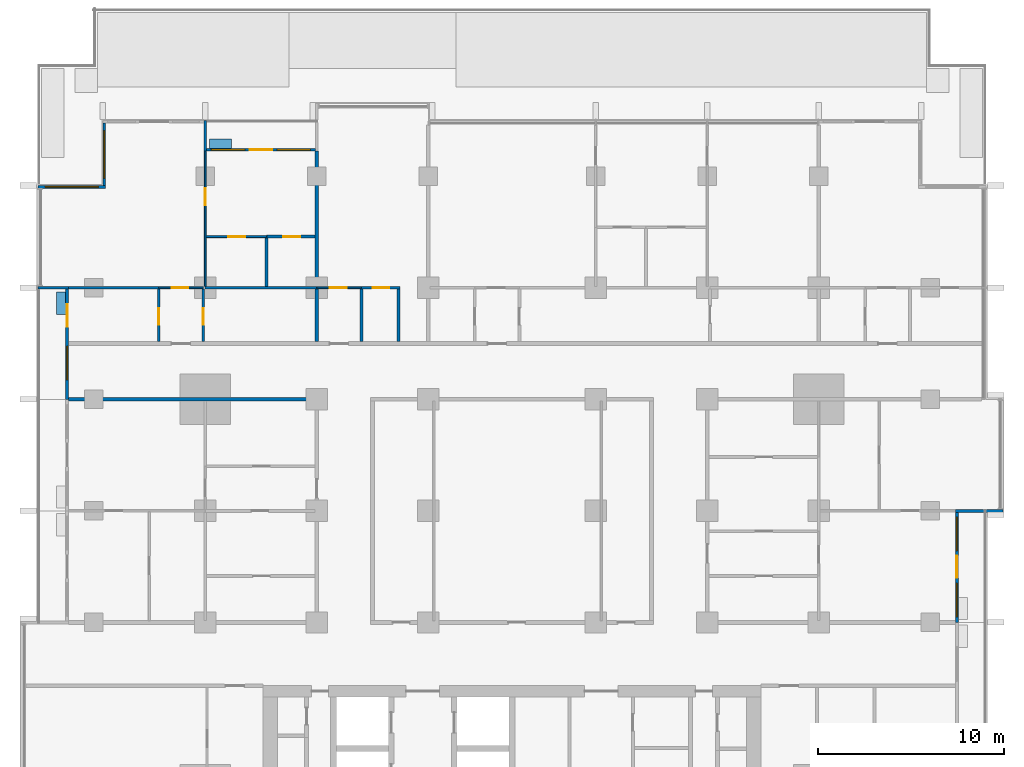
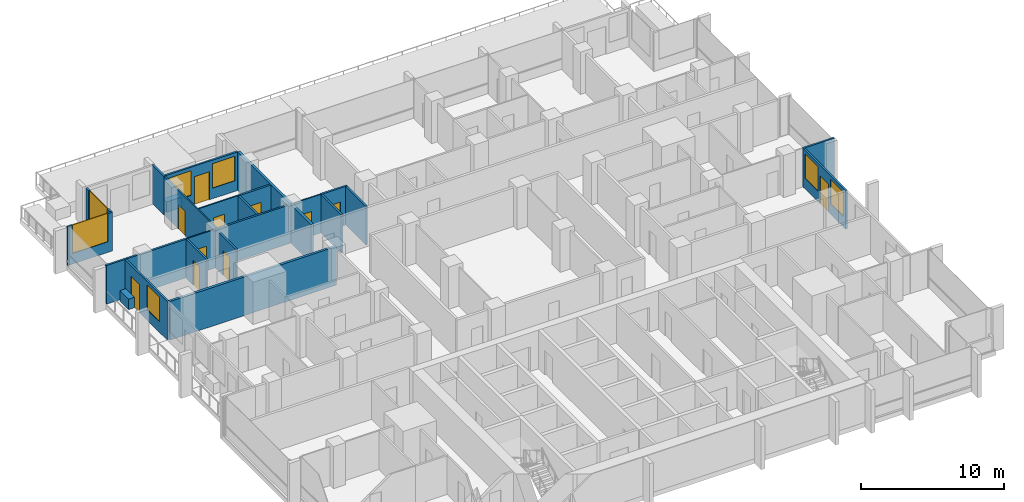
# One storey, part 11 of 19: 26 walls, 11 doors, 7 windows, 18 openings.
"""IFC4 building model written with IfcOpenShell, lengths in metres."""

from ifc_helpers import new_model, si_unit, direction, frame, frame_2d, origin, place, context, subcontext, project, spatial, rectangle, extrude, material, layer, layer_set, type_object, element, fill, save


model = new_model("IFC4")

# Units and contexts
model_context = context("Model", 3, precision=1e-05, world=origin(), true_north=direction((0.0, 1.0)))
body_context = subcontext(model_context, "Body", "Model", "MODEL_VIEW")
ifc_project = project(units=[si_unit("LENGTHUNIT", "METRE"), si_unit("AREAUNIT", "SQUARE_METRE"), si_unit("VOLUMEUNIT", "CUBIC_METRE"), si_unit("PLANEANGLEUNIT", "RADIAN"), si_unit("MASSUNIT", "GRAM", prefix="KILO")], contexts=[model_context])

# Site, building, storey
site_placement = place(None, origin())
site = spatial("IfcSite", under=ifc_project, at=site_placement, CompositionType="ELEMENT")
building_placement = place(site_placement, origin())
building = spatial("IfcBuilding", under=site, at=building_placement, Name="Finial Court Residences", CompositionType="ELEMENT")
storey_placement = place(building_placement, frame((0.0, 0.0, 81.10009765625)))
storey = spatial("IfcBuildingStorey", under=building, at=storey_placement, Name="L19", CompositionType="ELEMENT", Elevation=81.10009765625)

# Walls
ifc_material_1 = material(Name="Gypsum board")
ifc_layer_1 = layer(ifc_material_1, 0.02490234375)
ifc_material_2 = material(Name="Acoustic mineral wool in double frame")
ifc_layer_2 = layer(ifc_material_2, 0.14990234375)
ifc_layer_3 = layer(ifc_material_1, 0.02490234375)
ifc_layer_set_1 = layer_set([ifc_layer_1, ifc_layer_2, ifc_layer_3], Name="Acoustic party wall 200, 1 hour")
wall_type_1 = type_object("IfcWallType", Name="Acoustic party wall 200, 1 hour", PredefinedType="PARTITIONING", material=ifc_layer_set_1)
wall_1_placement = place(storey_placement, frame((-10.5, 10.60009765625, 0.0), z_axis=(0.0, 0.0, 1.0), x_axis=(0.0, 1.0, 0.0)))
element("IfcWall", 1, at=wall_1_placement, inside=storey, type_object=wall_type_1, Name="Partition L19-055", PredefinedType="PARTITIONING", context=body_context, shape_type="SweptSolid", body=[
    extrude(rectangle(XDim=2.824951171875, YDim=0.199951171875, at=frame_2d((1.41259765625, 0.0))), origin(), (0.0, 0.0, 1.0), 3.2998046875),
])
wall_2_placement = place(storey_placement, frame((-10.5, 13.574951171875, 0.0), z_axis=(0.0, 0.0, 1.0), x_axis=(0.0, 1.0, 0.0)))
element("IfcWall", 2, at=wall_2_placement, inside=storey, type_object=wall_type_1, Name="Partition L19-056", PredefinedType="PARTITIONING", context=body_context, shape_type="SweptSolid", body=[
    extrude(rectangle(XDim=7.275146484375, YDim=0.199951171875, at=frame_2d((3.6376953125, 0.0))), origin(), (0.0, 0.0, 1.0), 3.2998046875),
])
ifc_layer_4 = layer(ifc_material_1, 0.02490234375)
ifc_layer_5 = layer(ifc_material_2, 0.14990234375)
ifc_layer_6 = layer(ifc_material_1, 0.02490234375)
ifc_layer_set_2 = layer_set([ifc_layer_4, ifc_layer_5, ifc_layer_6], Name="Corridor wall 200, 1 hour")
wall_type_2 = type_object("IfcWallType", Name="Corridor wall 200, 1 hour", PredefinedType="PARTITIONING", material=ifc_layer_set_2)
wall_3_placement = place(storey_placement, frame((-23.85009765625, 7.5, 0.0), z_axis=(0.0, 0.0, 1.0), x_axis=(1.0, 0.0, 0.0)))
element("IfcWall", 3, at=wall_3_placement, inside=storey, type_object=wall_type_2, Name="Partition L19-022", PredefinedType="PARTITIONING", context=body_context, shape_type="SweptSolid", body=[
    extrude(rectangle(XDim=13.4501953125, YDim=0.199951171875, at=frame_2d((6.72509765625, 0.0))), origin(), (0.0, 0.0, 1.0), 3.2998046875),
])

# Wall, opening, door
ifc_layer_7 = layer(ifc_material_1, 0.012451171875)
ifc_material_3 = material(Name="Mineral wool in light-gauge frame")
ifc_layer_8 = layer(ifc_material_3, 0.074951171875)
ifc_layer_9 = layer(ifc_material_1, 0.012451171875)
ifc_layer_set_3 = layer_set([ifc_layer_7, ifc_layer_8, ifc_layer_9], Name="Gypsum board partition 100")
wall_type_3 = type_object("IfcWallType", Name="Gypsum board partition 100", PredefinedType="PARTITIONING", material=ifc_layer_set_3)
wall_4_placement = place(storey_placement, frame((-19.0, 13.5, 0.0), z_axis=(0.0, 0.0, 1.0), x_axis=(1.0, 0.0, 0.0)))
wall_4 = element("IfcWall", 4, at=wall_4_placement, inside=storey, type_object=wall_type_3, Name="Partition L19-026", PredefinedType="PARTITIONING", context=body_context, shape_type="SweptSolid", body=[
    extrude(rectangle(XDim=2.39990234375, YDim=0.10009765625, at=frame_2d((1.199951171875, 0.0))), origin(), (0.0, 0.0, 1.0), 3.2998046875),
])
opening_1_placement = place(wall_4_placement, frame((0.699951171875, 0.0, 0.0)))
opening_1 = element("IfcOpeningElement", 5, at=opening_1_placement, cuts=wall_4, Name="Opening L19-D022", PredefinedType="OPENING", context=body_context, shape_type="SweptSolid", body=[
    extrude(rectangle(XDim=0.89990234375, YDim=2.10009765625, at=frame_2d((0.449951171875, 1.050048828125))), frame((0.0, 0.06005859375, 0.0), z_axis=(0.0, -1.0, 0.0), x_axis=(1.0, 0.0, 0.0)), (0.0, 0.0, 1.0), 0.1201171875),
])
ifc_material_4 = material(Name="Timber door leaf in timber frame", Category="wood")
door_type_1 = type_object("IfcDoorType", Name="Door set 900 x 2100", OperationType="SINGLE_SWING_LEFT", PredefinedType="DOOR", material=ifc_material_4)
door_1_placement = place(opening_1_placement, origin())
door_1 = element("IfcDoor", 6, at=door_1_placement, inside=storey, type_object=door_type_1, Name="Door L19-D022", OperationType="SINGLE_SWING_RIGHT", OverallHeight=2.10009765625, OverallWidth=0.89990234375, PredefinedType="DOOR", context=body_context, shape_type="SweptSolid", body=[
    extrude(rectangle(XDim=0.89990234375, YDim=2.10009765625, at=frame_2d((0.449951171875, 1.050048828125))), frame((0.0, 0.02490234375, 0.0), z_axis=(0.0, -1.0, 0.0), x_axis=(1.0, 0.0, 0.0)), (0.0, 0.0, 1.0), 0.050048828125),
])
fill(opening_1, door_1)

wall_5_placement = place(storey_placement, frame((-10.5, 13.5, 0.0), z_axis=(0.0, 0.0, 1.0), x_axis=(1.0, 0.0, 0.0)))
wall_5 = element("IfcWall", 7, at=wall_5_placement, inside=storey, type_object=wall_type_3, Name="Partition L19-027", PredefinedType="PARTITIONING", context=body_context, shape_type="SweptSolid", body=[
    extrude(rectangle(XDim=2.39990234375, YDim=0.10009765625, at=frame_2d((1.199951171875, 0.0))), origin(), (0.0, 0.0, 1.0), 3.2998046875),
])
opening_2_placement = place(wall_5_placement, frame((0.699951171875, 0.0, 0.0)))
opening_2 = element("IfcOpeningElement", 8, at=opening_2_placement, cuts=wall_5, Name="Opening L19-D023", PredefinedType="OPENING", context=body_context, shape_type="SweptSolid", body=[
    extrude(rectangle(XDim=0.89990234375, YDim=2.10009765625, at=frame_2d((0.449951171875, 1.050048828125))), frame((0.0, 0.06005859375, 0.0), z_axis=(0.0, -1.0, 0.0), x_axis=(1.0, 0.0, 0.0)), (0.0, 0.0, 1.0), 0.1201171875),
])
door_2_placement = place(opening_2_placement, origin())
door_2 = element("IfcDoor", 9, at=door_2_placement, inside=storey, type_object=door_type_1, Name="Door L19-D023", OperationType="SINGLE_SWING_RIGHT", OverallHeight=2.10009765625, OverallWidth=0.89990234375, PredefinedType="DOOR", context=body_context, shape_type="SweptSolid", body=[
    extrude(rectangle(XDim=0.89990234375, YDim=2.10009765625, at=frame_2d((0.449951171875, 1.050048828125))), frame((0.0, 0.02490234375, 0.0), z_axis=(0.0, -1.0, 0.0), x_axis=(1.0, 0.0, 0.0)), (0.0, 0.0, 1.0), 0.050048828125),
])
fill(opening_2, door_2)

wall_6_placement = place(storey_placement, frame((-16.449951171875, 16.25, 0.0), z_axis=(0.0, 0.0, 1.0), x_axis=(1.0, 0.0, 0.0)))
wall_6 = element("IfcWall", 10, at=wall_6_placement, inside=storey, type_object=wall_type_3, Name="Partition L19-037", PredefinedType="PARTITIONING", context=body_context, shape_type="SweptSolid", body=[
    extrude(rectangle(XDim=3.25, YDim=0.10009765625, at=frame_2d((1.625, 0.0))), origin(), (0.0, 0.0, 1.0), 3.2998046875),
])
opening_3_placement = place(wall_6_placement, frame((1.199951171875, 0.0, 0.0)))
opening_3 = element("IfcOpeningElement", 11, at=opening_3_placement, cuts=wall_6, Name="Opening L19-D028", PredefinedType="OPENING", context=body_context, shape_type="SweptSolid", body=[
    extrude(rectangle(XDim=0.89990234375, YDim=2.10009765625, at=frame_2d((0.449951171875, 1.050048828125))), frame((0.0, 0.06005859375, 0.0), z_axis=(0.0, -1.0, 0.0), x_axis=(1.0, 0.0, 0.0)), (0.0, 0.0, 1.0), 0.1201171875),
])
door_3_placement = place(opening_3_placement, origin())
door_3 = element("IfcDoor", 12, at=door_3_placement, inside=storey, type_object=door_type_1, Name="Door L19-D028", OperationType="SINGLE_SWING_LEFT", OverallHeight=2.10009765625, OverallWidth=0.89990234375, PredefinedType="DOOR", context=body_context, shape_type="SweptSolid", body=[
    extrude(rectangle(XDim=0.89990234375, YDim=2.10009765625, at=frame_2d((0.449951171875, 1.050048828125))), frame((0.0, 0.02490234375, 0.0), z_axis=(0.0, -1.0, 0.0), x_axis=(1.0, 0.0, 0.0)), (0.0, 0.0, 1.0), 0.050048828125),
])
fill(opening_3, door_3)

wall_7_placement = place(storey_placement, frame((-16.5, 13.574951171875, 0.0), z_axis=(0.0, 0.0, 1.0), x_axis=(0.0, 1.0, 0.0)))
wall_7 = element("IfcWall", 13, at=wall_7_placement, inside=storey, type_object=wall_type_3, Name="Partition L19-046", PredefinedType="PARTITIONING", context=body_context, shape_type="SweptSolid", body=[
    extrude(rectangle(XDim=7.275146484375, YDim=0.10009765625, at=frame_2d((3.6376953125, 0.0))), origin(), (0.0, 0.0, 1.0), 3.2998046875),
])
opening_4_placement = place(wall_7_placement, frame((4.375, 0.0, 0.0)))
opening_4 = element("IfcOpeningElement", 14, at=opening_4_placement, cuts=wall_7, Name="Opening L19-D036", PredefinedType="OPENING", context=body_context, shape_type="SweptSolid", body=[
    extrude(rectangle(XDim=0.89990234375, YDim=2.10009765625, at=frame_2d((0.449951171875, 1.050048828125))), frame((0.0, 0.06005859375, 0.0), z_axis=(0.0, -1.0, 0.0), x_axis=(1.0, 0.0, 0.0)), (0.0, 0.0, 1.0), 0.1201171875),
])
door_4_placement = place(opening_4_placement, origin())
door_4 = element("IfcDoor", 15, at=door_4_placement, inside=storey, type_object=door_type_1, Name="Door L19-D036", OperationType="SINGLE_SWING_RIGHT", OverallHeight=2.10009765625, OverallWidth=0.89990234375, PredefinedType="DOOR", context=body_context, shape_type="SweptSolid", body=[
    extrude(rectangle(XDim=0.89990234375, YDim=2.10009765625, at=frame_2d((0.449951171875, 1.050048828125))), frame((0.0, 0.02490234375, 0.0), z_axis=(0.0, -1.0, 0.0), x_axis=(1.0, 0.0, 0.0)), (0.0, 0.0, 1.0), 0.050048828125),
])
fill(opening_4, door_4)

# Walls
ifc_material_5 = material(Name="Moisture-resistant gypsum board")
ifc_layer_10 = layer(ifc_material_5, 0.012451171875)
ifc_layer_11 = layer(ifc_material_3, 0.125)
ifc_layer_12 = layer(ifc_material_5, 0.012451171875)
ifc_layer_set_4 = layer_set([ifc_layer_10, ifc_layer_11, ifc_layer_12], Name="Gypsum board wet-area partition 150")
wall_type_4 = type_object("IfcWallType", Name="Gypsum board wet-area partition 150", PredefinedType="PARTITIONING", material=ifc_layer_set_4)
wall_8_placement = place(storey_placement, frame((-23.85009765625, 13.5, 0.0), z_axis=(0.0, 0.0, 1.0), x_axis=(1.0, 0.0, 0.0)))
element("IfcWall", 16, at=wall_8_placement, inside=storey, type_object=wall_type_4, Name="Partition L19-030", PredefinedType="PARTITIONING", context=body_context, shape_type="SweptSolid", body=[
    extrude(rectangle(XDim=4.85009765625, YDim=0.14990234375, at=frame_2d((2.425048828125, 0.0))), origin(), (0.0, 0.0, 1.0), 3.2998046875),
])
wall_9_placement = place(storey_placement, frame((-16.5, 13.5, 0.0), z_axis=(0.0, 0.0, 1.0), x_axis=(1.0, 0.0, 0.0)))
element("IfcWall", 17, at=wall_9_placement, inside=storey, type_object=wall_type_4, Name="Partition L19-031", PredefinedType="PARTITIONING", context=body_context, shape_type="SweptSolid", body=[
    extrude(rectangle(XDim=6.0, YDim=0.14990234375, at=frame_2d((3.0, 0.0))), origin(), (0.0, 0.0, 1.0), 3.2998046875),
])

# Wall, opening, door
wall_10_placement = place(storey_placement, frame((-8.10009765625, 13.5, 0.0), z_axis=(0.0, 0.0, 1.0), x_axis=(1.0, 0.0, 0.0)))
wall_10 = element("IfcWall", 18, at=wall_10_placement, inside=storey, type_object=wall_type_4, Name="Partition L19-032", PredefinedType="PARTITIONING", context=body_context, shape_type="SweptSolid", body=[
    extrude(rectangle(XDim=2.0751953125, YDim=0.14990234375, at=frame_2d((1.03759765625, 0.0))), origin(), (0.0, 0.0, 1.0), 3.2998046875),
])
opening_5_placement = place(wall_10_placement, frame((0.60009765625, 0.0, 0.0)))
opening_5 = element("IfcOpeningElement", 19, at=opening_5_placement, cuts=wall_10, Name="Opening L19-D026", PredefinedType="OPENING", context=body_context, shape_type="SweptSolid", body=[
    extrude(rectangle(XDim=0.89990234375, YDim=2.10009765625, at=frame_2d((0.449951171875, 1.050048828125))), frame((0.0, 0.0849609375, 0.0), z_axis=(0.0, -1.0, 0.0), x_axis=(1.0, 0.0, 0.0)), (0.0, 0.0, 1.0), 0.169921875),
])
door_5_placement = place(opening_5_placement, origin())
door_5 = element("IfcDoor", 20, at=door_5_placement, inside=storey, type_object=door_type_1, Name="Door L19-D026", OperationType="SINGLE_SWING_RIGHT", OverallHeight=2.10009765625, OverallWidth=0.89990234375, PredefinedType="DOOR", context=body_context, shape_type="SweptSolid", body=[
    extrude(rectangle(XDim=0.89990234375, YDim=2.10009765625, at=frame_2d((0.449951171875, 1.050048828125))), frame((0.0, 0.02490234375, 0.0), z_axis=(0.0, -1.0, 0.0), x_axis=(1.0, 0.0, 0.0)), (0.0, 0.0, 1.0), 0.050048828125),
])
fill(opening_5, door_5)

wall_11_placement = place(storey_placement, frame((-13.199951171875, 16.25, 0.0), z_axis=(0.0, 0.0, 1.0), x_axis=(1.0, 0.0, 0.0)))
wall_11 = element("IfcWall", 21, at=wall_11_placement, inside=storey, type_object=wall_type_4, Name="Partition L19-038", PredefinedType="PARTITIONING", context=body_context, shape_type="SweptSolid", body=[
    extrude(rectangle(XDim=2.599853515625, YDim=0.14990234375, at=frame_2d((1.2998046875, 0.0))), origin(), (0.0, 0.0, 1.0), 3.2998046875),
])
opening_6_placement = place(wall_11_placement, frame((0.89990234375, 0.0, 0.0)))
opening_6 = element("IfcOpeningElement", 22, at=opening_6_placement, cuts=wall_11, Name="Opening L19-D029", PredefinedType="OPENING", context=body_context, shape_type="SweptSolid", body=[
    extrude(rectangle(XDim=0.89990234375, YDim=2.10009765625, at=frame_2d((0.449951171875, 1.050048828125))), frame((0.0, 0.0849609375, 0.0), z_axis=(0.0, -1.0, 0.0), x_axis=(1.0, 0.0, 0.0)), (0.0, 0.0, 1.0), 0.169921875),
])
door_6_placement = place(opening_6_placement, origin())
door_6 = element("IfcDoor", 23, at=door_6_placement, inside=storey, type_object=door_type_1, Name="Door L19-D029", OperationType="SINGLE_SWING_RIGHT", OverallHeight=2.10009765625, OverallWidth=0.89990234375, PredefinedType="DOOR", context=body_context, shape_type="SweptSolid", body=[
    extrude(rectangle(XDim=0.89990234375, YDim=2.10009765625, at=frame_2d((0.449951171875, 1.050048828125))), frame((0.0, 0.02490234375, 0.0), z_axis=(0.0, -1.0, 0.0), x_axis=(1.0, 0.0, 0.0)), (0.0, 0.0, 1.0), 0.050048828125),
])
fill(opening_6, door_6)

wall_12_placement = place(storey_placement, frame((-19.0, 10.60009765625, 0.0), z_axis=(0.0, 0.0, 1.0), x_axis=(0.0, 1.0, 0.0)))
wall_12 = element("IfcWall", 24, at=wall_12_placement, inside=storey, type_object=wall_type_4, Name="Partition L19-043", PredefinedType="PARTITIONING", context=body_context, shape_type="SweptSolid", body=[
    extrude(rectangle(XDim=2.824951171875, YDim=0.14990234375, at=frame_2d((1.41259765625, 0.0))), origin(), (0.0, 0.0, 1.0), 3.2998046875),
])
opening_7_placement = place(wall_12_placement, frame((0.89990234375, 0.0, 0.0)))
opening_7 = element("IfcOpeningElement", 25, at=opening_7_placement, cuts=wall_12, Name="Opening L19-D033", PredefinedType="OPENING", context=body_context, shape_type="SweptSolid", body=[
    extrude(rectangle(XDim=0.89990234375, YDim=2.10009765625, at=frame_2d((0.449951171875, 1.050048828125))), frame((0.0, 0.0849609375, 0.0), z_axis=(0.0, -1.0, 0.0), x_axis=(1.0, 0.0, 0.0)), (0.0, 0.0, 1.0), 0.169921875),
])
door_7_placement = place(opening_7_placement, origin())
door_7 = element("IfcDoor", 26, at=door_7_placement, inside=storey, type_object=door_type_1, Name="Door L19-D033", OperationType="SINGLE_SWING_LEFT", OverallHeight=2.10009765625, OverallWidth=0.89990234375, PredefinedType="DOOR", context=body_context, shape_type="SweptSolid", body=[
    extrude(rectangle(XDim=0.89990234375, YDim=2.10009765625, at=frame_2d((0.449951171875, 1.050048828125))), frame((0.0, 0.02490234375, 0.0), z_axis=(0.0, -1.0, 0.0), x_axis=(1.0, 0.0, 0.0)), (0.0, 0.0, 1.0), 0.050048828125),
])
fill(opening_7, door_7)

wall_13_placement = place(storey_placement, frame((-16.60009765625, 10.60009765625, 0.0), z_axis=(0.0, 0.0, 1.0), x_axis=(0.0, 1.0, 0.0)))
wall_13 = element("IfcWall", 27, at=wall_13_placement, inside=storey, type_object=wall_type_4, Name="Partition L19-044", PredefinedType="PARTITIONING", context=body_context, shape_type="SweptSolid", body=[
    extrude(rectangle(XDim=2.824951171875, YDim=0.14990234375, at=frame_2d((1.41259765625, 0.0))), origin(), (0.0, 0.0, 1.0), 3.2998046875),
])
opening_8_placement = place(wall_13_placement, frame((0.89990234375, 0.0, 0.0)))
opening_8 = element("IfcOpeningElement", 28, at=opening_8_placement, cuts=wall_13, Name="Opening L19-D034", PredefinedType="OPENING", context=body_context, shape_type="SweptSolid", body=[
    extrude(rectangle(XDim=0.89990234375, YDim=2.10009765625, at=frame_2d((0.449951171875, 1.050048828125))), frame((0.0, 0.0849609375, 0.0), z_axis=(0.0, -1.0, 0.0), x_axis=(1.0, 0.0, 0.0)), (0.0, 0.0, 1.0), 0.169921875),
])
door_8_placement = place(opening_8_placement, origin())
door_8 = element("IfcDoor", 29, at=door_8_placement, inside=storey, type_object=door_type_1, Name="Door L19-D034", OperationType="SINGLE_SWING_RIGHT", OverallHeight=2.10009765625, OverallWidth=0.89990234375, PredefinedType="DOOR", context=body_context, shape_type="SweptSolid", body=[
    extrude(rectangle(XDim=0.89990234375, YDim=2.10009765625, at=frame_2d((0.449951171875, 1.050048828125))), frame((0.0, 0.02490234375, 0.0), z_axis=(0.0, -1.0, 0.0), x_axis=(1.0, 0.0, 0.0)), (0.0, 0.0, 1.0), 0.050048828125),
])
fill(opening_8, door_8)

# Walls
wall_14_placement = place(storey_placement, frame((-13.199951171875, 13.574951171875, 0.0), z_axis=(0.0, 0.0, 1.0), x_axis=(0.0, 1.0, 0.0)))
element("IfcWall", 30, at=wall_14_placement, inside=storey, type_object=wall_type_4, Name="Partition L19-053", PredefinedType="PARTITIONING", context=body_context, shape_type="SweptSolid", body=[
    extrude(rectangle(XDim=2.60009765625, YDim=0.14990234375, at=frame_2d((1.300048828125, 0.0))), origin(), (0.0, 0.0, 1.0), 3.2998046875),
])
for number, where, z_axis, x_axis, name in (
    (31, (-8.10009765625, 10.60009765625, 0.0), (0.0, 0.0, 1.0), (0.0, 1.0, 0.0), "Partition L19-057"),
    (32, (-6.10009765625, 10.60009765625, 0.0), (0.0, 0.0, 1.0), (0.0, 1.0, 0.0), "Partition L19-059"),
):
    element("IfcWall", number, at=place(storey_placement, frame(where, z_axis=z_axis, x_axis=x_axis)), inside=storey, type_object=wall_type_4, Name=name, PredefinedType="PARTITIONING", context=body_context, shape_type="SweptSolid", body=[
        extrude(rectangle(XDim=2.824951171875, YDim=0.14990234375, at=frame_2d((1.41259765625, 0.0))), origin(), (0.0, 0.0, 1.0), 3.2998046875),
    ])

# Wall, opening, window
ifc_material_6 = material(Name="Natural limestone", Category="masonry")
ifc_layer_13 = layer(ifc_material_6, 0.14990234375)
ifc_layer_set_5 = layer_set([ifc_layer_13], Name="Limestone clad wall 150")
wall_type_5 = type_object("IfcWallType", Name="Limestone clad wall 150", PredefinedType="SOLIDWALL", material=ifc_layer_set_5)
wall_15_placement = place(storey_placement, frame((-21.925048828125, 19.0, 0.0), z_axis=(0.0, 0.0, 1.0), x_axis=(0.0, 1.0, 0.0)))
wall_15 = element("IfcWall", 33, at=wall_15_placement, inside=storey, type_object=wall_type_5, Name="E-L19-NWW15", PredefinedType="SOLIDWALL", context=body_context, shape_type="SweptSolid", body=[
    extrude(rectangle(XDim=3.35009765625, YDim=0.14990234375, at=frame_2d((1.675048828125, 0.0))), origin(), (0.0, 0.0, 1.0), 3.2998046875),
])
opening_9_placement = place(wall_15_placement, frame((0.39990234375, 0.0, 0.89990234375)))
opening_9 = element("IfcOpeningElement", 34, at=opening_9_placement, cuts=wall_15, Name="Opening WE19-05", PredefinedType="OPENING", context=body_context, shape_type="SweptSolid", body=[
    extrude(rectangle(XDim=2.550048828125, YDim=2.39990234375, at=frame_2d((1.27490234375, 1.199951171875))), frame((0.0, 0.0849609375, 0.0), z_axis=(0.0, -1.0, 0.0), x_axis=(1.0, 0.0, 0.0)), (0.0, 0.0, 1.0), 0.169921875),
])
ifc_material_7 = material(Name="Clear low-e glass", Category="glass")
window_type_1 = type_object("IfcWindowType", Name="Corner window 2550 x 2400", PartitioningType="SINGLE_PANEL", PredefinedType="WINDOW", material=ifc_material_7)
window_1_placement = place(opening_9_placement, origin())
window_1 = element("IfcWindow", 35, at=window_1_placement, inside=storey, type_object=window_type_1, Name="E-L19-NWW15-W1", OverallHeight=2.39990234375, OverallWidth=2.550048828125, PartitioningType="SINGLE_PANEL", PredefinedType="WINDOW", context=body_context, shape_type="SweptSolid", body=[
    extrude(rectangle(XDim=2.550048828125, YDim=2.39990234375, at=frame_2d((1.27490234375, 1.199951171875))), frame((0.0, 0.030029296875, 0.0), z_axis=(0.0, -1.0, 0.0), x_axis=(1.0, 0.0, 0.0)), (0.0, 0.0, 1.0), 0.06005859375),
])
fill(opening_9, window_1)

wall_16_placement = place(storey_placement, frame((-25.5, 18.925048828125, 0.0), z_axis=(0.0, 0.0, 1.0), x_axis=(1.0, 0.0, 0.0)))
wall_16 = element("IfcWall", 36, at=wall_16_placement, inside=storey, type_object=wall_type_5, Name="E-L19-NWN16", PredefinedType="SOLIDWALL", context=body_context, shape_type="SweptSolid", body=[
    extrude(rectangle(XDim=3.64990234375, YDim=0.14990234375, at=frame_2d((1.824951171875, 0.0))), origin(), (0.0, 0.0, 1.0), 3.2998046875),
])
opening_10_placement = place(wall_16_placement, frame((0.39990234375, 0.0, 0.89990234375)))
opening_10 = element("IfcOpeningElement", 37, at=opening_10_placement, cuts=wall_16, Name="Opening WE19-06", PredefinedType="OPENING", context=body_context, shape_type="SweptSolid", body=[
    extrude(rectangle(XDim=2.85009765625, YDim=2.39990234375, at=frame_2d((1.425048828125, 1.199951171875))), frame((0.0, 0.0849609375, 0.0), z_axis=(0.0, -1.0, 0.0), x_axis=(1.0, 0.0, 0.0)), (0.0, 0.0, 1.0), 0.169921875),
])
window_type_2 = type_object("IfcWindowType", Name="Corner window 2850 x 2400", PartitioningType="SINGLE_PANEL", PredefinedType="WINDOW", material=ifc_material_7)
window_2_placement = place(opening_10_placement, origin())
window_2 = element("IfcWindow", 38, at=window_2_placement, inside=storey, type_object=window_type_2, Name="E-L19-NWN16-W1", OverallHeight=2.39990234375, OverallWidth=2.85009765625, PartitioningType="SINGLE_PANEL", PredefinedType="WINDOW", context=body_context, shape_type="SweptSolid", body=[
    extrude(rectangle(XDim=2.85009765625, YDim=2.39990234375, at=frame_2d((1.425048828125, 1.199951171875))), frame((0.0, 0.030029296875, 0.0), z_axis=(0.0, -1.0, 0.0), x_axis=(1.0, 0.0, 0.0)), (0.0, 0.0, 1.0), 0.06005859375),
])
fill(opening_10, window_2)

# Wall
wall_17_placement = place(storey_placement, frame((-16.5, 20.85009765625, 0.0), z_axis=(0.0, 0.0, 1.0), x_axis=(0.0, 1.0, 0.0)))
element("IfcWall", 39, at=wall_17_placement, inside=storey, type_object=wall_type_5, Name="E-L19-BALN2-P1", PredefinedType="SOLIDWALL", context=body_context, shape_type="SweptSolid", body=[
    extrude(rectangle(XDim=1.64990234375, YDim=0.14990234375, at=frame_2d((0.824951171875, 0.0))), origin(), (0.0, 0.0, 1.0), 3.2998046875),
])

# Wall, openings, door, windows
wall_18_placement = place(storey_placement, frame((-16.425048828125, 20.925048828125, 0.0), z_axis=(0.0, 0.0, 1.0), x_axis=(1.0, 0.0, 0.0)))
wall_18 = element("IfcWall", 40, at=wall_18_placement, inside=storey, type_object=wall_type_5, Name="E-L19-L19-BALN2-W", PredefinedType="SOLIDWALL", context=body_context, shape_type="SweptSolid", body=[
    extrude(rectangle(XDim=5.85009765625, YDim=0.14990234375, at=frame_2d((2.925048828125, 0.0))), origin(), (0.0, 0.0, 1.0), 3.2998046875),
])
opening_11_placement = place(wall_18_placement, frame((2.324951171875, 0.0, 0.0)))
opening_11 = element("IfcOpeningElement", 41, at=opening_11_placement, cuts=wall_18, Name="Opening DE19-01", PredefinedType="OPENING", context=body_context, shape_type="SweptSolid", body=[
    extrude(rectangle(XDim=1.199951171875, YDim=2.39990234375, at=frame_2d((0.60009765625, 1.199951171875))), frame((0.0, 0.0849609375, 0.0), z_axis=(0.0, -1.0, 0.0), x_axis=(1.0, 0.0, 0.0)), (0.0, 0.0, 1.0), 0.169921875),
])
opening_12_placement = place(wall_18_placement, frame((0.262451171875, 0.0, 0.89990234375)))
opening_12 = element("IfcOpeningElement", 42, at=opening_12_placement, cuts=wall_18, Name="Opening WE19-09", PredefinedType="OPENING", context=body_context, shape_type="SweptSolid", body=[
    extrude(rectangle(XDim=1.800048828125, YDim=2.10009765625, at=frame_2d((0.89990234375, 1.050048828125))), frame((0.0, 0.0849609375, 0.0), z_axis=(0.0, -1.0, 0.0), x_axis=(1.0, 0.0, 0.0)), (0.0, 0.0, 1.0), 0.169921875),
])
opening_13_placement = place(wall_18_placement, frame((3.78759765625, 0.0, 0.89990234375)))
opening_13 = element("IfcOpeningElement", 43, at=opening_13_placement, cuts=wall_18, Name="Opening WE19-10", PredefinedType="OPENING", context=body_context, shape_type="SweptSolid", body=[
    extrude(rectangle(XDim=1.800048828125, YDim=2.10009765625, at=frame_2d((0.89990234375, 1.050048828125))), frame((0.0, 0.0849609375, 0.0), z_axis=(0.0, -1.0, 0.0), x_axis=(1.0, 0.0, 0.0)), (0.0, 0.0, 1.0), 0.169921875),
])
ifc_material_8 = material(Name="Bronze anodised aluminium", Category="aluminium")
door_type_2 = type_object("IfcDoorType", Name="Balcony door 1200 x 2400", OperationType="SINGLE_SWING_LEFT", PredefinedType="DOOR", material=ifc_material_8)
door_9_placement = place(opening_11_placement, origin())
door_9 = element("IfcDoor", 44, at=door_9_placement, inside=storey, type_object=door_type_2, Name="E-L19-L19-BALN2-W-D", OperationType="SINGLE_SWING_RIGHT", OverallHeight=2.39990234375, OverallWidth=1.199951171875, PredefinedType="DOOR", context=body_context, shape_type="SweptSolid", body=[
    extrude(rectangle(XDim=1.199951171875, YDim=2.39990234375, at=frame_2d((0.60009765625, 1.199951171875))), frame((0.0, 0.02490234375, 0.0), z_axis=(0.0, -1.0, 0.0), x_axis=(1.0, 0.0, 0.0)), (0.0, 0.0, 1.0), 0.050048828125),
])
fill(opening_11, door_9)
window_type_3 = type_object("IfcWindowType", Name="Balcony window 1800 x 2100", PartitioningType="SINGLE_PANEL", PredefinedType="WINDOW", material=ifc_material_7)
window_3_placement = place(opening_12_placement, origin())
window_3 = element("IfcWindow", 45, at=window_3_placement, inside=storey, type_object=window_type_3, Name="E-L19-L19-BALN2-W-W1", OverallHeight=2.10009765625, OverallWidth=1.800048828125, PartitioningType="SINGLE_PANEL", PredefinedType="WINDOW", context=body_context, shape_type="SweptSolid", body=[
    extrude(rectangle(XDim=1.800048828125, YDim=2.10009765625, at=frame_2d((0.89990234375, 1.050048828125))), frame((0.0, 0.030029296875, 0.0), z_axis=(0.0, -1.0, 0.0), x_axis=(1.0, 0.0, 0.0)), (0.0, 0.0, 1.0), 0.06005859375),
])
fill(opening_12, window_3)
window_4_placement = place(opening_13_placement, origin())
window_4 = element("IfcWindow", 46, at=window_4_placement, inside=storey, type_object=window_type_3, Name="E-L19-L19-BALN2-W-W2", OverallHeight=2.10009765625, OverallWidth=1.800048828125, PartitioningType="SINGLE_PANEL", PredefinedType="WINDOW", context=body_context, shape_type="SweptSolid", body=[
    extrude(rectangle(XDim=1.800048828125, YDim=2.10009765625, at=frame_2d((0.89990234375, 1.050048828125))), frame((0.0, 0.030029296875, 0.0), z_axis=(0.0, -1.0, 0.0), x_axis=(1.0, 0.0, 0.0)), (0.0, 0.0, 1.0), 0.06005859375),
])
fill(opening_13, window_4)

# Wall
wall_19_placement = place(storey_placement, frame((23.85009765625, 1.5, 0.0), z_axis=(0.0, 0.0, 1.0), x_axis=(1.0, 0.0, 0.0)))
element("IfcWall", 47, at=wall_19_placement, inside=storey, type_object=wall_type_5, Name="E-L19-BALE3-P2", PredefinedType="SOLIDWALL", context=body_context, shape_type="SweptSolid", body=[
    extrude(rectangle(XDim=2.5498046875, YDim=0.14990234375, at=frame_2d((1.27490234375, 0.0))), origin(), (0.0, 0.0, 1.0), 3.2998046875),
])

# Wall, openings, door, windows
wall_20_placement = place(storey_placement, frame((23.925048828125, 1.425048828125, 0.0), z_axis=(0.0, 0.0, 1.0), x_axis=(0.0, -1.0, 0.0)))
wall_20 = element("IfcWall", 48, at=wall_20_placement, inside=storey, type_object=wall_type_5, Name="E-L19-L19-BALE3-W", PredefinedType="SOLIDWALL", context=body_context, shape_type="SweptSolid", body=[
    extrude(rectangle(XDim=5.925048828125, YDim=0.14990234375, at=frame_2d((2.96240234375, 0.0))), origin(), (0.0, 0.0, 1.0), 3.2998046875),
])
opening_14_placement = place(wall_20_placement, frame((2.324951171875, 0.0, 0.0)))
opening_14 = element("IfcOpeningElement", 49, at=opening_14_placement, cuts=wall_20, Name="Opening DE19-03", PredefinedType="OPENING", context=body_context, shape_type="SweptSolid", body=[
    extrude(rectangle(XDim=1.199951171875, YDim=2.39990234375, at=frame_2d((0.60009765625, 1.199951171875))), frame((0.0, 0.0849609375, 0.0), z_axis=(0.0, -1.0, 0.0), x_axis=(1.0, 0.0, 0.0)), (0.0, 0.0, 1.0), 0.169921875),
])
opening_15_placement = place(wall_20_placement, frame((3.824951171875, 0.0, 0.89990234375)))
opening_15 = element("IfcOpeningElement", 50, at=opening_15_placement, cuts=wall_20, Name="Opening WE19-13", PredefinedType="OPENING", context=body_context, shape_type="SweptSolid", body=[
    extrude(rectangle(XDim=1.800048828125, YDim=2.10009765625, at=frame_2d((0.89990234375, 1.050048828125))), frame((0.0, 0.0849609375, 0.0), z_axis=(0.0, -1.0, 0.0), x_axis=(1.0, 0.0, 0.0)), (0.0, 0.0, 1.0), 0.169921875),
])
opening_16_placement = place(wall_20_placement, frame((0.262451171875, 0.0, 0.89990234375)))
opening_16 = element("IfcOpeningElement", 51, at=opening_16_placement, cuts=wall_20, Name="Opening WE19-14", PredefinedType="OPENING", context=body_context, shape_type="SweptSolid", body=[
    extrude(rectangle(XDim=1.800048828125, YDim=2.10009765625, at=frame_2d((0.89990234375, 1.050048828125))), frame((0.0, 0.0849609375, 0.0), z_axis=(0.0, -1.0, 0.0), x_axis=(1.0, 0.0, 0.0)), (0.0, 0.0, 1.0), 0.169921875),
])
door_10_placement = place(opening_14_placement, origin())
door_10 = element("IfcDoor", 52, at=door_10_placement, inside=storey, type_object=door_type_2, Name="E-L19-L19-BALE3-W-D", OperationType="SINGLE_SWING_RIGHT", OverallHeight=2.39990234375, OverallWidth=1.199951171875, PredefinedType="DOOR", context=body_context, shape_type="SweptSolid", body=[
    extrude(rectangle(XDim=1.199951171875, YDim=2.39990234375, at=frame_2d((0.60009765625, 1.199951171875))), frame((0.0, 0.02490234375, 0.0), z_axis=(0.0, -1.0, 0.0), x_axis=(1.0, 0.0, 0.0)), (0.0, 0.0, 1.0), 0.050048828125),
])
fill(opening_14, door_10)
window_5_placement = place(opening_15_placement, origin())
window_5 = element("IfcWindow", 53, at=window_5_placement, inside=storey, type_object=window_type_3, Name="E-L19-L19-BALE3-W-W1", OverallHeight=2.10009765625, OverallWidth=1.800048828125, PartitioningType="SINGLE_PANEL", PredefinedType="WINDOW", context=body_context, shape_type="SweptSolid", body=[
    extrude(rectangle(XDim=1.800048828125, YDim=2.10009765625, at=frame_2d((0.89990234375, 1.050048828125))), frame((0.0, 0.030029296875, 0.0), z_axis=(0.0, -1.0, 0.0), x_axis=(1.0, 0.0, 0.0)), (0.0, 0.0, 1.0), 0.06005859375),
])
fill(opening_15, window_5)
window_6_placement = place(opening_16_placement, origin())
window_6 = element("IfcWindow", 54, at=window_6_placement, inside=storey, type_object=window_type_3, Name="E-L19-L19-BALE3-W-W2", OverallHeight=2.10009765625, OverallWidth=1.800048828125, PartitioningType="SINGLE_PANEL", PredefinedType="WINDOW", context=body_context, shape_type="SweptSolid", body=[
    extrude(rectangle(XDim=1.800048828125, YDim=2.10009765625, at=frame_2d((0.89990234375, 1.050048828125))), frame((0.0, 0.030029296875, 0.0), z_axis=(0.0, -1.0, 0.0), x_axis=(1.0, 0.0, 0.0)), (0.0, 0.0, 1.0), 0.06005859375),
])
fill(opening_16, window_6)

# Wall
wall_21_placement = place(storey_placement, frame((-23.85009765625, 13.5, 0.0), z_axis=(0.0, 0.0, 1.0), x_axis=(-1.0, 0.0, 0.0)))
element("IfcWall", 55, at=wall_21_placement, inside=storey, type_object=wall_type_5, Name="E-L19-BALW5-P2", PredefinedType="SOLIDWALL", context=body_context, shape_type="SweptSolid", body=[
    extrude(rectangle(XDim=1.64990234375, YDim=0.14990234375, at=frame_2d((0.824951171875, 0.0))), origin(), (0.0, 0.0, 1.0), 3.2998046875),
])

# Wall, openings, door, window
wall_22_placement = place(storey_placement, frame((-23.925048828125, 7.5, 0.0), z_axis=(0.0, 0.0, 1.0), x_axis=(0.0, 1.0, 0.0)))
wall_22 = element("IfcWall", 56, at=wall_22_placement, inside=storey, type_object=wall_type_5, Name="E-L19-L19-BALW5-W", PredefinedType="SOLIDWALL", context=body_context, shape_type="SweptSolid", body=[
    extrude(rectangle(XDim=5.925048828125, YDim=0.14990234375, at=frame_2d((2.96240234375, 0.0))), origin(), (0.0, 0.0, 1.0), 3.2998046875),
])
opening_17_placement = place(wall_22_placement, frame((3.89990234375, 0.0, 0.0)))
opening_17 = element("IfcOpeningElement", 57, at=opening_17_placement, cuts=wall_22, Name="Opening DE19-06", PredefinedType="OPENING", context=body_context, shape_type="SweptSolid", body=[
    extrude(rectangle(XDim=1.199951171875, YDim=2.39990234375, at=frame_2d((0.60009765625, 1.199951171875))), frame((0.0, 0.0849609375, 0.0), z_axis=(0.0, -1.0, 0.0), x_axis=(1.0, 0.0, 0.0)), (0.0, 0.0, 1.0), 0.169921875),
])
opening_18_placement = place(wall_22_placement, frame((1.050048828125, 0.0, 0.89990234375)))
opening_18 = element("IfcOpeningElement", 58, at=opening_18_placement, cuts=wall_22, Name="Opening WE19-19", PredefinedType="OPENING", context=body_context, shape_type="SweptSolid", body=[
    extrude(rectangle(XDim=1.800048828125, YDim=2.10009765625, at=frame_2d((0.89990234375, 1.050048828125))), frame((0.0, 0.0849609375, 0.0), z_axis=(0.0, -1.0, 0.0), x_axis=(1.0, 0.0, 0.0)), (0.0, 0.0, 1.0), 0.169921875),
])
door_11_placement = place(opening_17_placement, origin())
door_11 = element("IfcDoor", 59, at=door_11_placement, inside=storey, type_object=door_type_2, Name="E-L19-L19-BALW5-W-D", OperationType="SINGLE_SWING_LEFT", OverallHeight=2.39990234375, OverallWidth=1.199951171875, PredefinedType="DOOR", context=body_context, shape_type="SweptSolid", body=[
    extrude(rectangle(XDim=1.199951171875, YDim=2.39990234375, at=frame_2d((0.60009765625, 1.199951171875))), frame((0.0, 0.02490234375, 0.0), z_axis=(0.0, -1.0, 0.0), x_axis=(1.0, 0.0, 0.0)), (0.0, 0.0, 1.0), 0.050048828125),
])
fill(opening_17, door_11)
window_7_placement = place(opening_18_placement, origin())
window_7 = element("IfcWindow", 60, at=window_7_placement, inside=storey, type_object=window_type_3, Name="E-L19-L19-BALW5-W-W1", OverallHeight=2.10009765625, OverallWidth=1.800048828125, PartitioningType="SINGLE_PANEL", PredefinedType="WINDOW", context=body_context, shape_type="SweptSolid", body=[
    extrude(rectangle(XDim=1.800048828125, YDim=2.10009765625, at=frame_2d((0.89990234375, 1.050048828125))), frame((0.0, 0.030029296875, 0.0), z_axis=(0.0, -1.0, 0.0), x_axis=(1.0, 0.0, 0.0)), (0.0, 0.0, 1.0), 0.06005859375),
])
fill(opening_18, window_7)

# Walls
ifc_material_9 = material(Name="Concrete C40/50", Category="concrete")
ifc_layer_14 = layer(ifc_material_9, 0.10009765625)
ifc_material_10 = material(Name="Planting soil", Category="soil")
ifc_layer_15 = layer(ifc_material_10, 0.300048828125)
ifc_layer_16 = layer(ifc_material_9, 0.10009765625)
ifc_layer_set_6 = layer_set([ifc_layer_14, ifc_layer_15, ifc_layer_16], Name="Planter wall, balcony")
wall_type_6 = type_object("IfcWallType", Name="Planter wall, balcony", PredefinedType="USERDEFINED", material=ifc_layer_set_6)
for number, where, z_axis, x_axis, name in (
    (61, (-16.27490234375, 21.25, 0.0), (0.0, 0.0, 1.0), (1.0, 0.0, 0.0), "E-L19-BALN2-PL"),
    (62, (-24.25, 12.074951171875, 0.0), (0.0, 0.0, 1.0), (0.0, 1.0, 0.0), "E-L19-BALW5-PL"),
):
    element("IfcWall", number, at=place(storey_placement, frame(where, z_axis=z_axis, x_axis=x_axis)), inside=storey, type_object=wall_type_6, Name=name, ObjectType="PLANTER", PredefinedType="USERDEFINED", context=body_context, shape_type="SweptSolid", body=[
        extrude(rectangle(XDim=1.199951171875, YDim=0.5, at=frame_2d((0.60009765625, 0.0))), origin(), (0.0, 0.0, 1.0), 0.89990234375),
    ])

save(model, "model.ifc")
